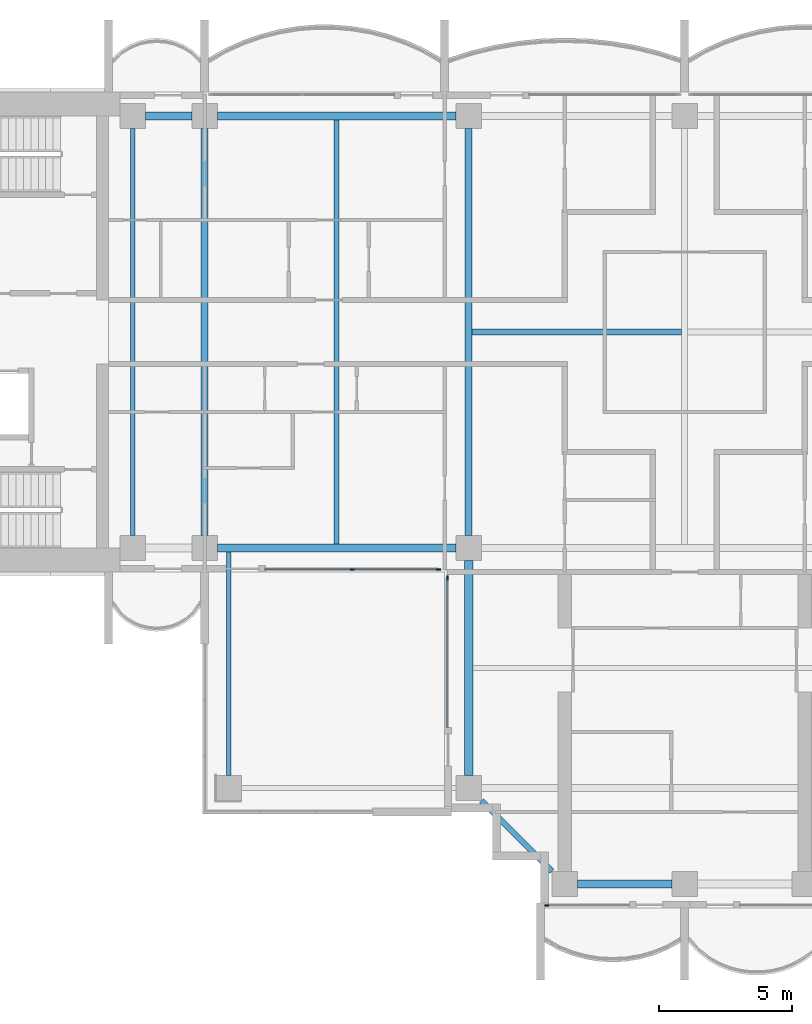
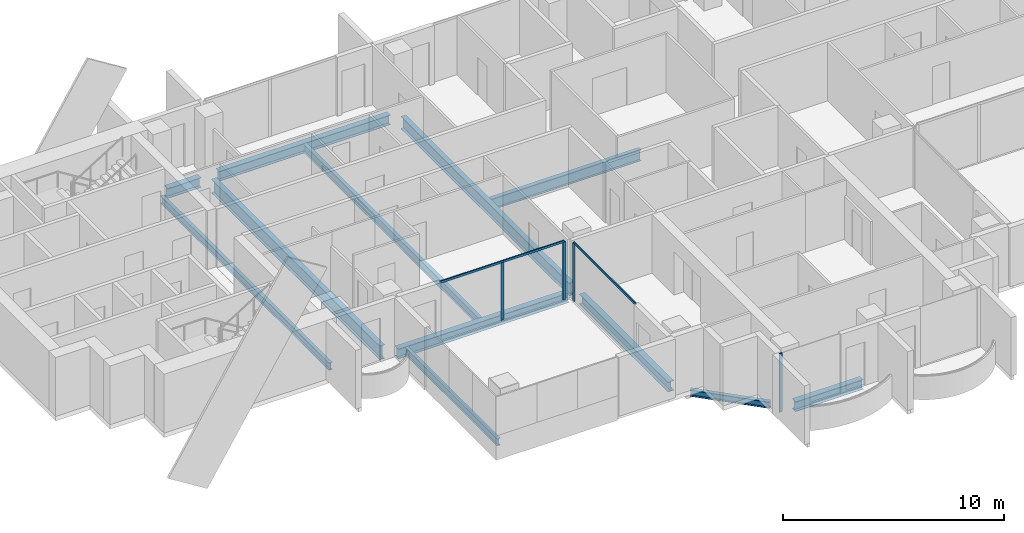
# One storey, part 2 of 17: 12 beams, 6 members, 3 elements without a shape of their own.
"""IFC4 building model written with IfcOpenShell, lengths in metres."""

from ifc_helpers import new_model, si_unit, direction, frame, origin, origin_2d, place, context, subcontext, project, spatial, rectangle, i_section, extrude, material, material_profile, profile_set, type_object, element, aggregate, save


model = new_model("IFC4")

# Units and contexts
model_context = context("Model", 3, precision=1e-05, world=origin(), true_north=direction((0.0, 1.0)))
body_context = subcontext(model_context, "Body", "Model", "MODEL_VIEW")
ifc_project = project(units=[si_unit("LENGTHUNIT", "METRE"), si_unit("AREAUNIT", "SQUARE_METRE"), si_unit("VOLUMEUNIT", "CUBIC_METRE"), si_unit("PLANEANGLEUNIT", "RADIAN"), si_unit("MASSUNIT", "GRAM", prefix="KILO")], contexts=[model_context])

# Site, building, storey
site_placement = place(None, origin())
site = spatial("IfcSite", under=ifc_project, at=site_placement, CompositionType="ELEMENT")
building_placement = place(site_placement, origin())
building = spatial("IfcBuilding", under=site, at=building_placement, Name="Perihelion Cross Residences", CompositionType="ELEMENT")
storey_placement = place(building_placement, frame((0.0, 0.0, 198.10009765625)))
storey = spatial("IfcBuildingStorey", under=building, at=storey_placement, Name="L49", CompositionType="ELEMENT", Elevation=198.10009765625)

# Curtain wall, members
ifc_material_1 = material(Name="Bronze anodised aluminium, tinted glazing", Category="aluminium")
curtain_wall_type = type_object("IfcCurtainWallType", Name="CW1", PredefinedType="NOTDEFINED", material=ifc_material_1)
curtain_wall_1_placement = place(storey_placement, origin())
curtain_wall_1 = element("IfcCurtainWall", 1, at=curtain_wall_1_placement, inside=storey, type_object=curtain_wall_type, Name="Curtain wall CW1 L49 west side south bay 2", PredefinedType="NOTDEFINED")
ifc_material_2 = material(Name="Bronze anodised aluminium", Category="aluminium")
ifc_material_profile_1 = material_profile(ifc_material_2, rectangle(XDim=0.06005859375, YDim=0.159912109375, at=origin_2d()), Name="CW1 mullion")
ifc_profile_set_1 = profile_set([ifc_material_profile_1], Name="Bronze anodised aluminium")
member_type_1 = type_object("IfcMemberType", Name="CW1 mullion", PredefinedType="MULLION", material=ifc_profile_set_1)
member_1_placement = place(storey_placement, frame((-12.46240234375, -8.89990234375, 0.0), z_axis=(0.0, 0.0, 1.0), x_axis=(0.0, 1.0, 0.0)))
member_1 = element("IfcMember", 2, at=member_1_placement, type_object=member_type_1, Name="CW1 mullion 2", PredefinedType="MULLION", context=body_context, shape_type="SweptSolid", body=[
    extrude(rectangle(XDim=0.06005859375, YDim=0.159912109375, at=origin_2d()), origin(), (0.0, 0.0, 1.0), 3.18994140625),
])
member_2_placement = place(storey_placement, frame((-9.22998046875, -8.89990234375, 0.0), z_axis=(0.0, 0.0, 1.0), x_axis=(0.0, 1.0, 0.0)))
member_2 = element("IfcMember", 3, at=member_2_placement, type_object=member_type_1, Name="CW1 mullion 3", PredefinedType="MULLION", context=body_context, shape_type="SweptSolid", body=[
    extrude(rectangle(XDim=0.06005859375, YDim=0.159912109375, at=origin_2d()), origin(), (0.0, 0.0, 1.0), 3.18994140625),
])

# Curtain wall, member
curtain_wall_2_placement = place(storey_placement, origin())
curtain_wall_2 = element("IfcCurtainWall", 4, at=curtain_wall_2_placement, inside=storey, type_object=curtain_wall_type, Name="Curtain wall CW1 L49 south side west bay 1", PredefinedType="NOTDEFINED")
member_3_placement = place(storey_placement, frame((-8.89990234375, -9.22998046875, 0.0), z_axis=(0.0, 0.0, 1.0), x_axis=(1.0, 0.0, 0.0)))
member_3 = element("IfcMember", 5, at=member_3_placement, type_object=member_type_1, Name="CW1 mullion 1", PredefinedType="MULLION", context=body_context, shape_type="SweptSolid", body=[
    extrude(rectangle(XDim=0.06005859375, YDim=0.159912109375, at=origin_2d()), origin(), (0.0, 0.0, 1.0), 3.18994140625),
])

curtain_wall_3_placement = place(storey_placement, origin())
curtain_wall_3 = element("IfcCurtainWall", 6, at=curtain_wall_3_placement, inside=storey, type_object=curtain_wall_type, Name="Curtain wall CW1 L49 south tip south bay 1", PredefinedType="NOTDEFINED")
member_4_placement = place(storey_placement, frame((-5.169921875, -21.5, 0.0), z_axis=(0.0, 0.0, 1.0), x_axis=(0.0, 1.0, 0.0)))
member_4 = element("IfcMember", 7, at=member_4_placement, type_object=member_type_1, Name="CW1 mullion 1", PredefinedType="MULLION", context=body_context, shape_type="SweptSolid", body=[
    extrude(rectangle(XDim=0.06005859375, YDim=0.159912109375, at=origin_2d()), origin(), (0.0, 0.0, 1.0), 3.25),
])
aggregate(curtain_wall_3, [member_4])

# Member
ifc_material_3 = material(Name="Bronze anodised aluminium", Category="aluminium")
ifc_material_profile_2 = material_profile(ifc_material_3, rectangle(XDim=0.06005859375, YDim=0.1201171875, at=origin_2d()), Name="CW1 transom")
ifc_profile_set_2 = profile_set([ifc_material_profile_2], Name="Bronze anodised aluminium")
member_type_2 = type_object("IfcMemberType", Name="CW1 transom", PredefinedType="USERDEFINED", material=ifc_profile_set_2)
member_5_placement = place(storey_placement, frame((-15.72509765625, -8.89990234375, 3.219970703125), z_axis=(1.0, 0.0, 0.0), x_axis=(0.0, 1.0, 0.0)))
member_5 = element("IfcMember", 8, at=member_5_placement, type_object=member_type_2, Name="CW1 head transom", ObjectType="TRANSOM", PredefinedType="USERDEFINED", context=body_context, shape_type="SweptSolid", body=[
    extrude(rectangle(XDim=0.06005859375, YDim=0.1201171875, at=origin_2d()), origin(), (0.0, 0.0, 1.0), 6.4951171875),
])

aggregate(curtain_wall_1, [member_1, member_2, member_5])

member_6_placement = place(storey_placement, frame((-8.89990234375, -9.22998046875, 3.219970703125), z_axis=(0.0, -1.0, 0.0), x_axis=(1.0, 0.0, 0.0)))
member_6 = element("IfcMember", 9, at=member_6_placement, type_object=member_type_2, Name="CW1 head transom", ObjectType="TRANSOM", PredefinedType="USERDEFINED", context=body_context, shape_type="SweptSolid", body=[
    extrude(rectangle(XDim=0.06005859375, YDim=0.1201171875, at=origin_2d()), origin(), (0.0, 0.0, 1.0), 5.594970703125),
])

aggregate(curtain_wall_2, [member_3, member_6])

# Beams
ifc_material_4 = material(Name="Steel S355", Category="steel")
ifc_material_profile_3 = material_profile(ifc_material_4, i_section(OverallWidth=0.177978515625, OverallDepth=0.406005859375, WebThickness=0.0078125, FlangeThickness=0.0126953125, at=origin_2d()), Name="W410x60")
ifc_profile_set_3 = profile_set([ifc_material_profile_3], Name="Steel S355")
beam_type_1 = type_object("IfcBeamType", Name="Core edge beam W410x60", PredefinedType="BEAM", material=ifc_profile_set_3)
beam_1_placement = place(storey_placement, frame((-17.10009765625, -8.256103515625, -0.453125), z_axis=(0.0, -1.0, 0.0), x_axis=(1.0, 0.0, 0.0)))
element("IfcBeam", 10, at=beam_1_placement, inside=storey, type_object=beam_type_1, Name="Core edge beam TB2 L49 corner no. 1", PredefinedType="BEAM", context=body_context, shape_type="SweptSolid", body=[
    extrude(i_section(OverallWidth=0.177978515625, OverallDepth=0.406005859375, WebThickness=0.0078125, FlangeThickness=0.0126953125, at=origin_2d()), origin(), (0.0, 0.0, 1.0), 8.368896484375),
])
ifc_material_5 = material(Name="Steel S355", Category="steel")
ifc_material_profile_4 = material_profile(ifc_material_5, i_section(OverallWidth=0.180908203125, OverallDepth=0.4169921875, WebThickness=0.010986328125, FlangeThickness=0.018310546875, at=origin_2d()), Name="W410x85")
ifc_profile_set_4 = profile_set([ifc_material_profile_4], Name="Steel S355")
beam_type_2 = type_object("IfcBeamType", Name="Core edge beam W410x85", PredefinedType="BEAM", material=ifc_profile_set_4)
beam_2_placement = place(storey_placement, frame((-20.699951171875, -7.625, -0.45849609375), z_axis=(0.0, 1.0, 0.0), x_axis=(-1.0, 0.0, 0.0)))
element("IfcBeam", 11, at=beam_2_placement, inside=storey, type_object=beam_type_2, Name="Core edge beam TB6 L49 no. 1", PredefinedType="BEAM", context=body_context, shape_type="SweptSolid", body=[
    extrude(i_section(OverallWidth=0.180908203125, OverallDepth=0.4169921875, WebThickness=0.010986328125, FlangeThickness=0.018310546875, at=origin_2d()), origin(), (0.0, 0.0, 1.0), 15.25),
])
ifc_material_6 = material(Name="Steel S355", Category="steel")
ifc_material_profile_5 = material_profile(ifc_material_6, i_section(OverallWidth=0.31201171875, OverallDepth=0.5439453125, WebThickness=0.0126953125, FlangeThickness=0.020263671875, at=origin_2d()), Name="W530x150")
ifc_profile_set_5 = profile_set([ifc_material_profile_5], Name="Steel S355")
beam_type_3 = type_object("IfcBeamType", Name="Edge beam W530x150", PredefinedType="SPANDREL", material=ifc_profile_set_5)
beam_3_placement = place(storey_placement, frame((-8.574951171875, 8.10009765625, -0.522216796875), z_axis=(-1.0, 0.0, 0.0), x_axis=(0.0, -1.0, 0.0)))
element("IfcBeam", 12, at=beam_3_placement, inside=storey, type_object=beam_type_3, Name="Edge beam SB4 L49 no. 6", PredefinedType="SPANDREL", context=body_context, shape_type="SweptSolid", body=[
    extrude(i_section(OverallWidth=0.31201171875, OverallDepth=0.5439453125, WebThickness=0.0126953125, FlangeThickness=0.020263671875, at=origin_2d()), origin(), (0.0, 0.0, 1.0), 8.949951171875),
])
beam_4_placement = place(storey_placement, frame((-18.47509765625, 8.10009765625, -0.522216796875), z_axis=(-1.0, 0.0, 0.0), x_axis=(0.0, -1.0, 0.0)))
element("IfcBeam", 13, at=beam_4_placement, inside=storey, type_object=beam_type_3, Name="Edge beam SB4 L49 no. 2", PredefinedType="SPANDREL", context=body_context, shape_type="SweptSolid", body=[
    extrude(i_section(OverallWidth=0.31201171875, OverallDepth=0.5439453125, WebThickness=0.0126953125, FlangeThickness=0.020263671875, at=origin_2d()), origin(), (0.0, 0.0, 1.0), 1.75),
])
beam_5_placement = place(storey_placement, frame((-17.52490234375, -8.10009765625, -0.522216796875), z_axis=(1.0, 0.0, 0.0), x_axis=(0.0, 1.0, 0.0)))
element("IfcBeam", 14, at=beam_5_placement, inside=storey, type_object=beam_type_3, Name="Edge beam SB4 L49 no. 1", PredefinedType="SPANDREL", context=body_context, shape_type="SweptSolid", body=[
    extrude(i_section(OverallWidth=0.31201171875, OverallDepth=0.5439453125, WebThickness=0.0126953125, FlangeThickness=0.020263671875, at=origin_2d()), origin(), (0.0, 0.0, 1.0), 8.949951171875),
])
beam_6_placement = place(storey_placement, frame((-8.10009765625, -8.574951171875, -0.522216796875), z_axis=(0.0, -1.0, 0.0), x_axis=(1.0, 0.0, 0.0)))
element("IfcBeam", 15, at=beam_6_placement, inside=storey, type_object=beam_type_3, Name="Edge beam SB4 L49 no. 5", PredefinedType="SPANDREL", context=body_context, shape_type="SweptSolid", body=[
    extrude(i_section(OverallWidth=0.31201171875, OverallDepth=0.5439453125, WebThickness=0.0126953125, FlangeThickness=0.020263671875, at=origin_2d()), origin(), (0.0, 0.0, 1.0), 8.050048828125),
])
beam_7_placement = place(storey_placement, frame((-4.02490234375, -20.699951171875, -0.522216796875), z_axis=(1.0, 0.0, 0.0), x_axis=(0.0, 1.0, 0.0)))
element("IfcBeam", 16, at=beam_7_placement, inside=storey, type_object=beam_type_3, Name="Edge beam SB4 L49 no. 4", PredefinedType="SPANDREL", context=body_context, shape_type="SweptSolid", body=[
    extrude(i_section(OverallWidth=0.31201171875, OverallDepth=0.5439453125, WebThickness=0.0126953125, FlangeThickness=0.020263671875, at=origin_2d()), origin(), (0.0, 0.0, 1.0), 3.5498046875),
])
ifc_material_7 = material(Name="Steel S355", Category="steel")
ifc_material_profile_6 = material_profile(ifc_material_7, i_section(OverallWidth=0.26708984375, OverallDepth=0.77001953125, WebThickness=0.015625, FlangeThickness=0.025390625, at=origin_2d()), Name="W760x196")
ifc_profile_set_6 = profile_set([ifc_material_profile_6], Name="Steel S355")
beam_type_4 = type_object("IfcBeamType", Name="Floor girder W760x196", PredefinedType="BEAM", material=ifc_profile_set_6)
beam_8_placement = place(storey_placement, frame((-18.0, -7.625, -0.635009765625), z_axis=(0.0, 1.0, 0.0), x_axis=(-1.0, 0.0, 0.0)))
element("IfcBeam", 17, at=beam_8_placement, inside=storey, type_object=beam_type_4, Name="Girder G4 L49 no. 1", PredefinedType="BEAM", context=body_context, shape_type="SweptSolid", body=[
    extrude(i_section(OverallWidth=0.26708984375, OverallDepth=0.77001953125, WebThickness=0.015625, FlangeThickness=0.025390625, at=origin_2d()), origin(), (0.0, 0.0, 1.0), 15.25),
])
ifc_material_8 = material(Name="Steel S355", Category="steel")
ifc_material_profile_7 = material_profile(ifc_material_8, i_section(OverallWidth=0.19091796875, OverallDepth=0.45703125, WebThickness=0.009033203125, FlangeThickness=0.014404296875, at=origin_2d()), Name="W460x74")
ifc_profile_set_7 = profile_set([ifc_material_profile_7], Name="Steel S355")
beam_type_5 = type_object("IfcBeamType", Name="Floor joist W460x74", PredefinedType="JOIST", material=ifc_profile_set_7)
beam_9_placement = place(storey_placement, frame((-13.050048828125, -7.944091796875, -0.478515625), z_axis=(0.0, 1.0, 0.0), x_axis=(-1.0, 0.0, 0.0)))
element("IfcBeam", 18, at=beam_9_placement, inside=storey, type_object=beam_type_5, Name="Joist J5 L49 no. 1", PredefinedType="JOIST", context=body_context, shape_type="SweptSolid", body=[
    extrude(i_section(OverallWidth=0.19091796875, OverallDepth=0.45703125, WebThickness=0.009033203125, FlangeThickness=0.014404296875, at=origin_2d()), origin(), (0.0, 0.0, 1.0), 15.88818359375),
])
ifc_material_9 = material(Name="Steel S355", Category="steel")
ifc_material_profile_8 = material_profile(ifc_material_9, i_section(OverallWidth=0.22900390625, OverallDepth=0.612060546875, WebThickness=0.011962890625, FlangeThickness=0.01953125, at=origin_2d()), Name="W610x125")
ifc_profile_set_8 = profile_set([ifc_material_profile_8], Name="Steel S355")
beam_type_6 = type_object("IfcBeamType", Name="Hub cross beam W610x125", PredefinedType="BEAM", material=ifc_profile_set_8)
beam_10_placement = place(storey_placement, frame((-7.971435546875, 0.0, -0.55615234375), z_axis=(1.0, 0.0, 0.0), x_axis=(0.0, 1.0, 0.0)))
element("IfcBeam", 19, at=beam_10_placement, inside=storey, type_object=beam_type_6, Name="Hub cross beam XB4 L49 1 no. 1", PredefinedType="BEAM", context=body_context, shape_type="SweptSolid", body=[
    extrude(i_section(OverallWidth=0.22900390625, OverallDepth=0.612060546875, WebThickness=0.011962890625, FlangeThickness=0.01953125, at=origin_2d()), origin(), (0.0, 0.0, 1.0), 7.85693359375),
])
ifc_material_10 = material(Name="Steel S355", Category="steel")
ifc_material_profile_9 = material_profile(ifc_material_10, i_section(OverallWidth=0.257080078125, OverallDepth=0.693115234375, WebThickness=0.014404296875, FlangeThickness=0.023681640625, at=origin_2d()), Name="W690x170")
ifc_profile_set_9 = profile_set([ifc_material_profile_9], Name="Steel S355")
beam_type_7 = type_object("IfcBeamType", Name="Hub ring girder W690x170", PredefinedType="BEAM", material=ifc_profile_set_9)
beam_11_placement = place(storey_placement, frame((-8.10009765625, 7.625, -0.5966796875), z_axis=(0.0, -1.0, 0.0), x_axis=(1.0, 0.0, 0.0)))
element("IfcBeam", 20, at=beam_11_placement, inside=storey, type_object=beam_type_7, Name="Hub ring girder RG4 L49 no. 2", PredefinedType="BEAM", context=body_context, shape_type="SweptSolid", body=[
    extrude(i_section(OverallWidth=0.257080078125, OverallDepth=0.693115234375, WebThickness=0.014404296875, FlangeThickness=0.023681640625, at=origin_2d()), origin(), (0.0, 0.0, 1.0), 15.25),
])
ifc_material_11 = material(Name="Steel S355", Category="steel")
ifc_material_profile_10 = material_profile(ifc_material_11, i_section(OverallWidth=0.205078125, OverallDepth=0.35302734375, WebThickness=0.009521484375, FlangeThickness=0.016845703125, at=origin_2d()), Name="W360x79")
ifc_profile_set_10 = profile_set([ifc_material_profile_10], Name="Steel S355")
beam_type_8 = type_object("IfcBeamType", Name="Serration edge beam W360x79", PredefinedType="BEAM", material=ifc_profile_set_10)
beam_12_placement = place(storey_placement, frame((-7.625, -17.574951171875, -0.426513671875), z_axis=(0.70707420838, -0.707139352493, 0.0), x_axis=(0.707139352493, 0.70707420838, 0.0)))
element("IfcBeam", 21, at=beam_12_placement, inside=storey, type_object=beam_type_8, Name="Serration edge beam EB4 L49 no. 1", PredefinedType="BEAM", context=body_context, shape_type="SweptSolid", body=[
    extrude(i_section(OverallWidth=0.205078125, OverallDepth=0.35302734375, WebThickness=0.009521484375, FlangeThickness=0.016845703125, at=origin_2d()), origin(), (0.0, 0.0, 1.0), 3.747802734375),
])

save(model, "model.ifc")
